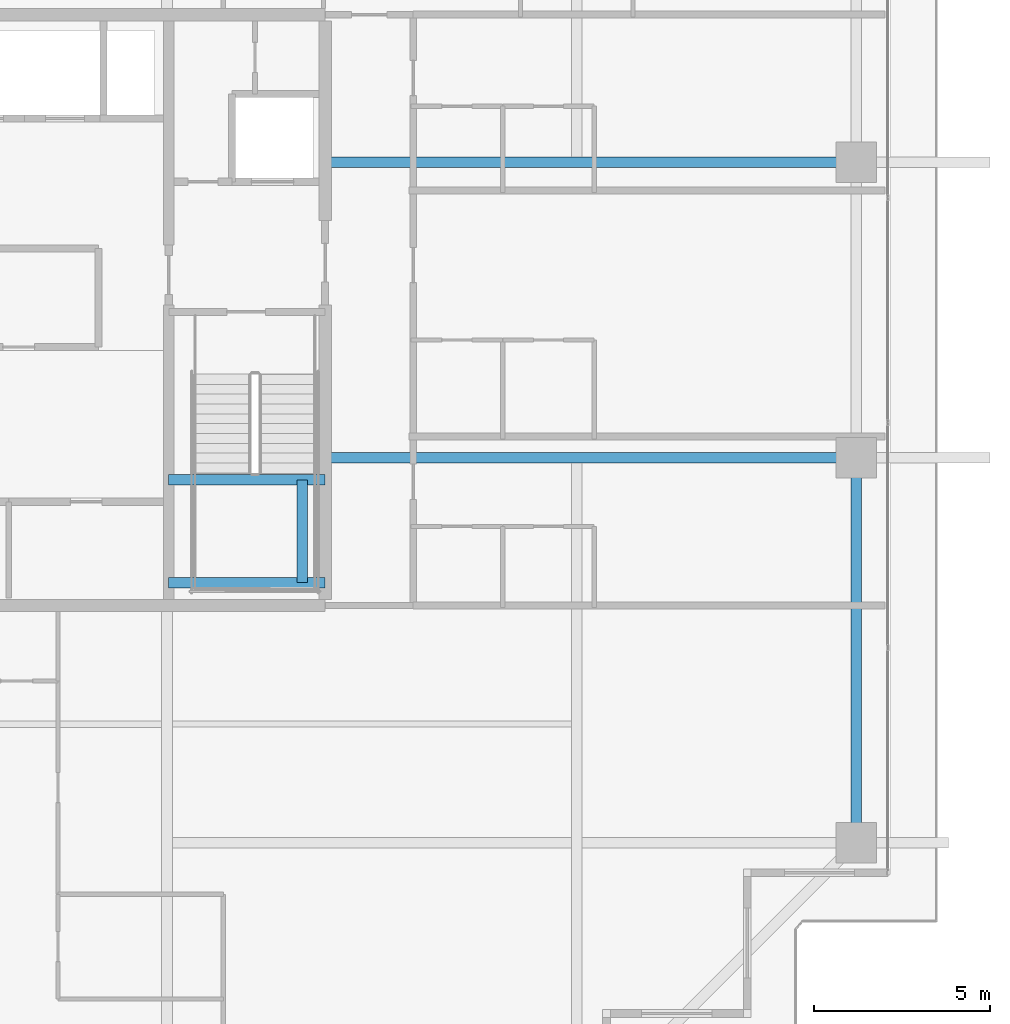
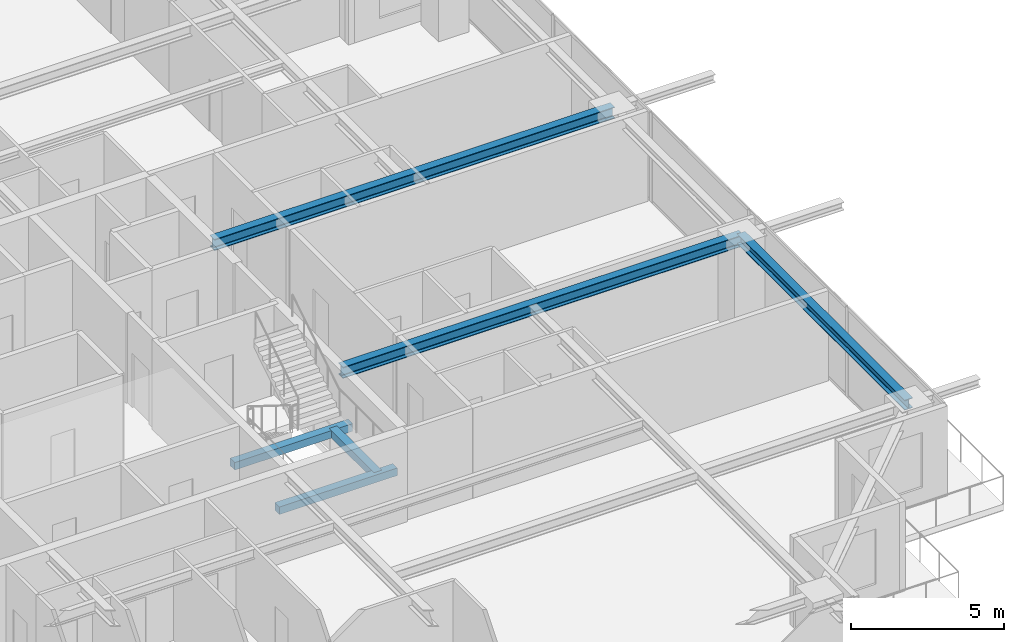
# One storey, part 15 of 36: 6 beams.
"""IFC4 building model written with IfcOpenShell, lengths in metres."""

from ifc_helpers import new_model, si_unit, direction, frame, origin, origin_2d, place, context, subcontext, project, spatial, rectangle, i_section, extrude, source, transform, mapped, material, material_profile, profile_set, type_object, element, save


model = new_model("IFC4")

# Units and contexts
model_context = context("Model", 3, precision=1e-05, world=origin(), true_north=direction((0.0, 1.0)))
body_context = subcontext(model_context, "Body", "Model", "MODEL_VIEW")
ifc_project = project(units=[si_unit("LENGTHUNIT", "METRE"), si_unit("AREAUNIT", "SQUARE_METRE"), si_unit("VOLUMEUNIT", "CUBIC_METRE"), si_unit("PLANEANGLEUNIT", "RADIAN"), si_unit("MASSUNIT", "GRAM", prefix="KILO")], contexts=[model_context])

# Site, building, storey
site_placement = place(None, origin())
site = spatial("IfcSite", under=ifc_project, at=site_placement, CompositionType="ELEMENT")
building_placement = place(site_placement, origin())
building = spatial("IfcBuilding", under=site, at=building_placement, Name="Serunith Strait Residences", CompositionType="ELEMENT")
storey_placement = place(building_placement, frame((0.0, 0.0, 256.64990234375)))
storey = spatial("IfcBuildingStorey", under=building, at=storey_placement, Name="L64", CompositionType="ELEMENT", Elevation=256.64990234375)

# Beams
ifc_material_1 = material(Name="Steel S355J2", Category="steel")
ifc_material_profile_1 = material_profile(ifc_material_1, i_section(OverallWidth=0.300048828125, OverallDepth=0.449951171875, WebThickness=0.013916015625, FlangeThickness=0.02587890625, FilletRadius=0.027099609375, at=origin_2d()), Name="HEB 450")
ifc_profile_set_1 = profile_set([ifc_material_profile_1], Name="Steel S355J2")
beam_type_1 = type_object("IfcBeamType", Name="BM-HEB450", PredefinedType="BEAM", material=ifc_profile_set_1)
shared_shape_1 = source(origin(), body_context, "Body", "SweptSolid", [
    extrude(i_section(OverallWidth=0.300048828125, OverallDepth=0.449951171875, WebThickness=0.013916015625, FlangeThickness=0.02587890625, FilletRadius=0.027099609375, at=origin_2d()), origin(), (0.0, 0.0, 1.0), 15.10009765625),
])
for number, where, z_axis, x_axis, name in (
    (1, (41.39990234375, 21.0, 3.362060546875), (1.0, 0.0, 0.0), (0.0, 1.0, 0.0), "L64 Primary Floor Girder TC-E2"),
    (2, (41.39990234375, 29.39990234375, 3.362060546875), (1.0, 0.0, 0.0), (0.0, 1.0, 0.0), "L64 Primary Floor Girder TC-E3"),
):
    element("IfcBeam", number, at=place(storey_placement, frame(where, z_axis=z_axis, x_axis=x_axis)), inside=storey, type_object=beam_type_1, Name=name, PredefinedType="BEAM", context=body_context, shape_type="MappedRepresentation", body=[
        mapped(shared_shape_1, transform((0.0, 0.0, 0.0), scale=1.0)),
    ])
ifc_material_profile_2 = material_profile(ifc_material_1, i_section(OverallWidth=0.300048828125, OverallDepth=0.39990234375, WebThickness=0.013427734375, FlangeThickness=0.02392578125, FilletRadius=0.027099609375, at=origin_2d()), Name="HEB 400")
ifc_profile_set_2 = profile_set([ifc_material_profile_2], Name="Steel S355J2")
beam_type_2 = type_object("IfcBeamType", Name="BM-HEB400", PredefinedType="BEAM", material=ifc_profile_set_2)
shared_shape_2 = source(origin(), body_context, "Body", "SweptSolid", [
    extrude(i_section(OverallWidth=0.300048828125, OverallDepth=0.39990234375, WebThickness=0.013427734375, FlangeThickness=0.02392578125, FilletRadius=0.027099609375, at=origin_2d()), origin(), (0.0, 0.0, 1.0), 10.949951171875),
])
beam_1_placement = place(storey_placement, frame((56.5, 10.050048828125, 3.38720703125), z_axis=(0.0, 1.0, 0.0), x_axis=(-1.0, 0.0, 0.0)))
element("IfcBeam", 3, at=beam_1_placement, inside=storey, type_object=beam_type_2, Name="L64 Perimeter Ring Beam 05", PredefinedType="BEAM", context=body_context, shape_type="MappedRepresentation", body=[
    mapped(shared_shape_2, transform((0.0, 0.0, 0.0), scale=1.0)),
])
ifc_material_2 = material(Name="Concrete C60/75", Category="concrete")
ifc_material_profile_3 = material_profile(ifc_material_2, rectangle(XDim=0.300048828125, YDim=0.300048828125, at=origin_2d()), Name="RC 300x300")
ifc_profile_set_3 = profile_set([ifc_material_profile_3], Name="Concrete C60/75")
beam_type_3 = type_object("IfcBeamType", Name="BM-LAND-300x300", PredefinedType="BEAM", material=ifc_profile_set_3)
shared_shape_3 = source(origin(), body_context, "Body", "SweptSolid", [
    extrude(rectangle(XDim=0.300048828125, YDim=0.300048828125, at=origin_2d()), origin(), (0.0, 0.0, 1.0), 4.449951171875),
])
for number, where, z_axis, x_axis, name in (
    (4, (36.949951171875, 17.449951171875, 1.5751953125), (1.0, 0.0, 0.0), (0.0, 1.0, 0.0), "L64 ST-2 Landing Support Beam 1"),
    (5, (36.949951171875, 20.3701171875, 1.5751953125), (1.0, 0.0, 0.0), (0.0, 1.0, 0.0), "L64 ST-2 Landing Support Beam 2"),
):
    element("IfcBeam", number, at=place(storey_placement, frame(where, z_axis=z_axis, x_axis=x_axis)), inside=storey, type_object=beam_type_3, Name=name, PredefinedType="BEAM", context=body_context, shape_type="MappedRepresentation", body=[
        mapped(shared_shape_3, transform((0.0, 0.0, 0.0), scale=1.0)),
    ])
shared_shape_4 = source(origin(), body_context, "Body", "SweptSolid", [
    extrude(rectangle(XDim=0.300048828125, YDim=0.300048828125, at=origin_2d()), origin(), (0.0, 0.0, 1.0), 2.920166015625),
])
beam_2_placement = place(storey_placement, frame((40.75, 17.449951171875, 1.5751953125), z_axis=(0.0, 1.0, 0.0), x_axis=(-1.0, 0.0, 0.0)))
element("IfcBeam", 6, at=beam_2_placement, inside=storey, type_object=beam_type_3, Name="L64 ST-2 Landing Transverse Tie Beam", PredefinedType="BEAM", context=body_context, shape_type="MappedRepresentation", body=[
    mapped(shared_shape_4, transform((0.0, 0.0, 0.0), scale=1.0)),
])

save(model, "model.ifc")
